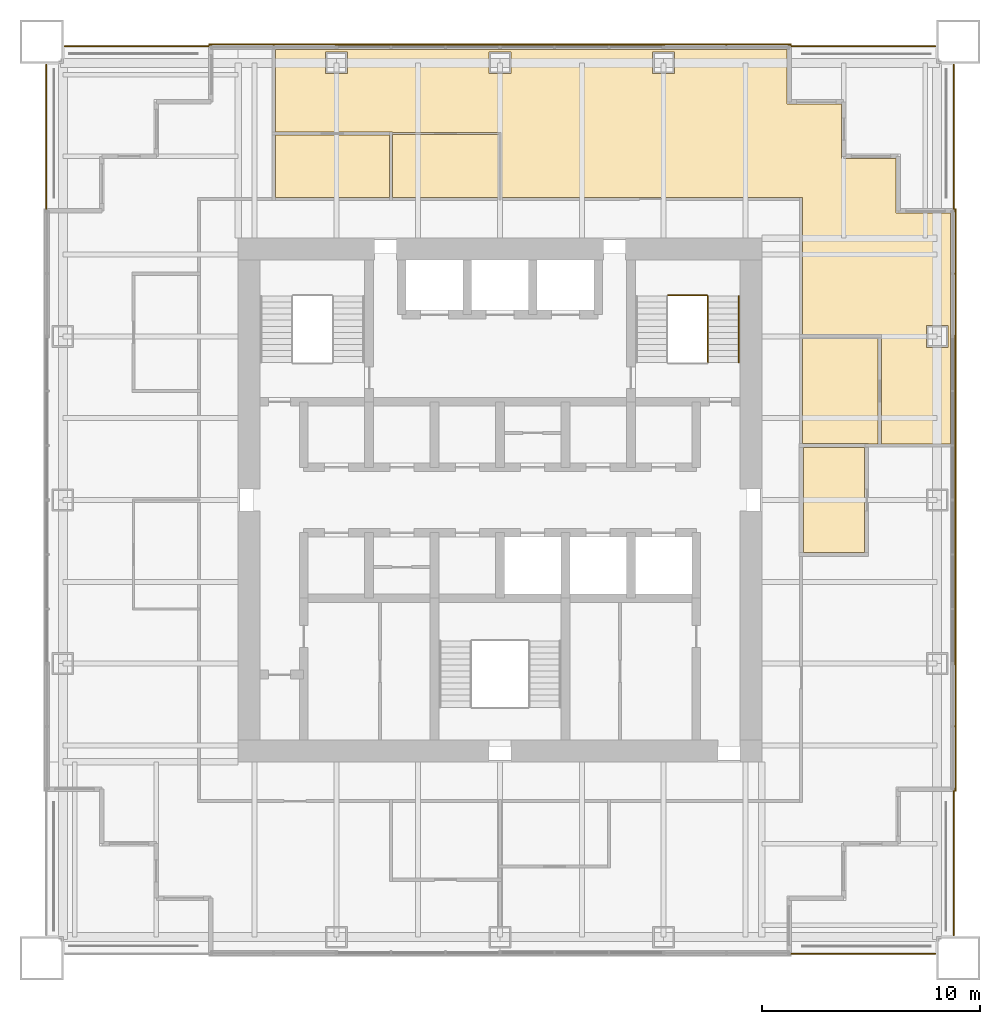
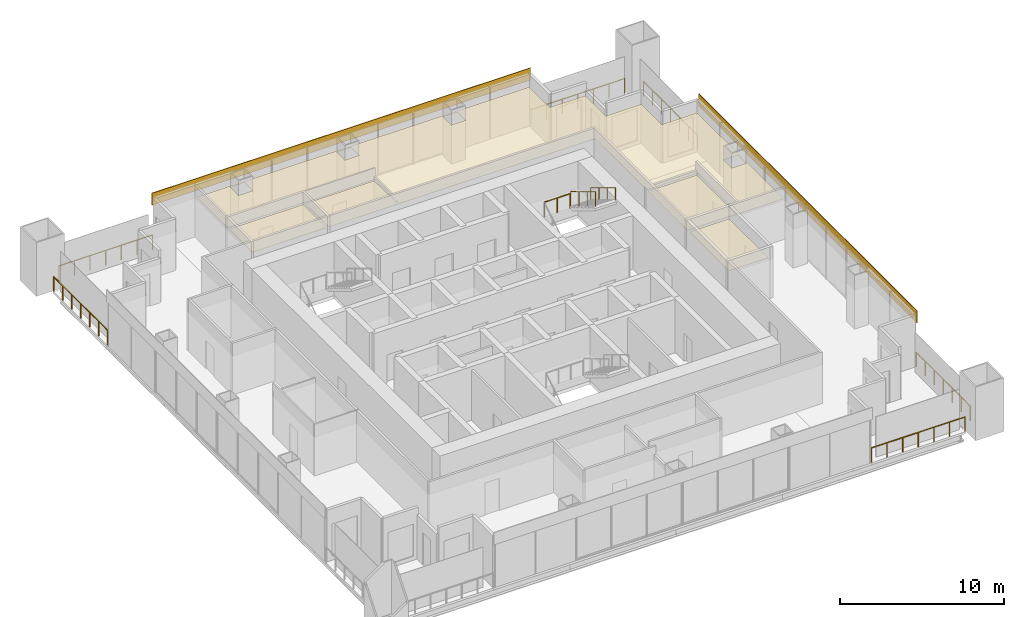
# One storey, part 14 of 14: 9 railings, 7 coverings.
"""IFC4 building model written with IfcOpenShell, lengths in metres."""

from ifc_helpers import new_model, si_unit, direction, frame, origin, origin_2d, place, context, subcontext, project, spatial, polyline, rectangle, circle, outline, extrude, material, layer, layer_set, type_object, element, save


model = new_model("IFC4")

# Units and contexts
model_context = context("Model", 3, precision=1e-05, world=origin(), true_north=direction((0.0, 1.0)))
body_context = subcontext(model_context, "Body", "Model", "MODEL_VIEW")
ifc_project = project(units=[si_unit("LENGTHUNIT", "METRE"), si_unit("AREAUNIT", "SQUARE_METRE"), si_unit("VOLUMEUNIT", "CUBIC_METRE"), si_unit("PLANEANGLEUNIT", "RADIAN"), si_unit("MASSUNIT", "GRAM", prefix="KILO")], contexts=[model_context])

# Site, building, storey
site_placement = place(None, origin())
site = spatial("IfcSite", under=ifc_project, at=site_placement, CompositionType="ELEMENT")
building_placement = place(site_placement, origin())
building = spatial("IfcBuilding", under=site, at=building_placement, Name="Tarangal Relay Tower", CompositionType="ELEMENT")
storey_placement = place(building_placement, frame((0.0, 0.0, 267.89990234375)))
storey = spatial("IfcBuildingStorey", under=building, at=storey_placement, Name="L58", CompositionType="ELEMENT", Elevation=267.89990234375)

# Coverings
ifc_material_1 = material(Name="Black anodised aluminium cladding", Category="aluminium")
ifc_layer_1 = layer(ifc_material_1, 0.050048828125)
ifc_layer_set_1 = layer_set([ifc_layer_1], Name="Black metal spandrel band")
covering_type_1 = type_object("IfcCoveringType", Name="Black metal spandrel band", PredefinedType="CLADDING", material=ifc_layer_set_1)
for number, where, z_axis, x_axis, name in (
    (1, (0.0, 20.875, 3.250244140625), (0.0, 0.0, 1.0), (1.0, 0.0, 0.0), "Spandrel band SB1 N L58"),
    (2, (20.875, 0.0, 3.250244140625), (0.0, 0.0, 1.0), (0.0, -1.0, 0.0), "Spandrel band SB1 E L58"),
):
    element("IfcCovering", number, at=place(storey_placement, frame(where, z_axis=z_axis, x_axis=x_axis)), inside=storey, type_object=covering_type_1, Name=name, PredefinedType="CLADDING", context=body_context, shape_type="SweptSolid", body=[
        extrude(rectangle(XDim=26.699951171875, YDim=0.050048828125, at=origin_2d()), origin(), (0.0, 0.0, 1.0), 0.89990234375),
    ])

# Railings
ifc_material_2 = material(Name="Steel guard, black finish", Category="steel")
railing_type_1 = type_object("IfcRailingType", Name="Stair guard 1100", PredefinedType="GUARDRAIL", material=ifc_material_2)
railing_1_placement = place(storey_placement, frame((9.530029296875, 9.346923828125, 2.166748046875)))
element("IfcRailing", 3, at=railing_1_placement, inside=storey, type_object=railing_type_1, Name="Stair ST-B guard GR1 L58 flight 2", PredefinedType="GUARDRAIL", context=body_context, shape_type="SweptSolid", body=[
    extrude(circle(Radius=0.02392578125, at=origin_2d()), frame((0.0, 0.0, 1.076171875), z_axis=(0.0, -0.85685617095, 0.515555527858), x_axis=(1.0, 0.0, 0.0)), (0.0, 0.0, 1.0), 3.555908203125),
    extrude(circle(Radius=0.02099609375, at=origin_2d()), origin(), (0.0, 0.0, 1.0), 1.052001953125),
    extrude(circle(Radius=0.02099609375, at=origin_2d()), frame((0.0, -1.015625, 0.611083984375)), (0.0, 0.0, 1.0), 1.052001953125),
    extrude(circle(Radius=0.02099609375, at=origin_2d()), frame((0.0, -2.03125, 1.22216796875)), (0.0, 0.0, 1.0), 1.052001953125),
    extrude(circle(Radius=0.02099609375, at=origin_2d()), frame((0.0, -3.046875, 1.833251953125)), (0.0, 0.0, 1.0), 1.052001953125),
])
railing_2_placement = place(storey_placement, frame((7.699951171875, 9.376953125, 2.0)))
element("IfcRailing", 4, at=railing_2_placement, inside=storey, type_object=railing_type_1, Name="Stair ST-B landing guard GR1 L58", PredefinedType="GUARDRAIL", context=body_context, shape_type="SweptSolid", body=[
    extrude(circle(Radius=0.02392578125, at=origin_2d()), frame((0.0, 0.0, 1.076171875), z_axis=(1.0, 0.0, 0.0), x_axis=(0.0, 1.0, 0.0)), (0.0, 0.0, 1.0), 1.800048828125),
    extrude(circle(Radius=0.02099609375, at=origin_2d()), origin(), (0.0, 0.0, 1.0), 1.052001953125),
    extrude(circle(Radius=0.02099609375, at=origin_2d()), frame((0.89990234375, 0.0, 0.0)), (0.0, 0.0, 1.0), 1.052001953125),
    extrude(circle(Radius=0.02099609375, at=origin_2d()), frame((1.800048828125, 0.0, 0.0)), (0.0, 0.0, 1.0), 1.052001953125),
])
ifc_material_3 = material(Name="Steel handrail, black finish", Category="steel")
railing_type_2 = type_object("IfcRailingType", Name="Stair handrail 900", PredefinedType="HANDRAIL", material=ifc_material_3)
railing_3_placement = place(storey_placement, frame((10.93994140625, 9.346923828125, 2.166748046875)))
element("IfcRailing", 5, at=railing_3_placement, inside=storey, type_object=railing_type_2, Name="Stair ST-B handrail HR1 L58 flight 2", PredefinedType="HANDRAIL", context=body_context, shape_type="SweptSolid", body=[
    extrude(circle(Radius=0.02392578125, at=origin_2d()), frame((0.0, 0.0, 0.8759765625), z_axis=(0.0, -0.85685617095, 0.515555527858), x_axis=(1.0, 0.0, 0.0)), (0.0, 0.0, 1.0), 3.555908203125),
    extrude(circle(Radius=0.02099609375, at=origin_2d()), origin(), (0.0, 0.0, 1.0), 0.851806640625),
    extrude(circle(Radius=0.02099609375, at=origin_2d()), frame((0.0, -1.015625, 0.611083984375)), (0.0, 0.0, 1.0), 0.851806640625),
    extrude(circle(Radius=0.02099609375, at=origin_2d()), frame((0.0, -2.03125, 1.22216796875)), (0.0, 0.0, 1.0), 0.851806640625),
    extrude(circle(Radius=0.02099609375, at=origin_2d()), frame((0.0, -3.046875, 1.833251953125)), (0.0, 0.0, 1.0), 0.851806640625),
])

# Coverings
ifc_material_4 = material(Name="Mineral fibre ceiling tiles", Category="gypsum")
ifc_layer_2 = layer(ifc_material_4, 0.02001953125)
ifc_layer_set_2 = layer_set([ifc_layer_2], Name="Suspended ceiling")
covering_type_2 = type_object("IfcCoveringType", Name="Suspended ceiling", PredefinedType="CEILING", material=ifc_layer_set_2)
covering_1_placement = place(storey_placement, frame((0.0, 0.0, 2.900146484375)))
element("IfcCovering", 6, at=covering_1_placement, inside=storey, type_object=covering_type_2, Name="Suspended ceiling CL1 L58-02", PredefinedType="CEILING", context=body_context, shape_type="SweptSolid", body=[
    extrude(outline(polyline([(-10.300048828125, 16.72509765625), (-10.300048828125, 13.875), (-5.074951171875, 13.875), (-5.074951171875, 16.72509765625), (-10.300048828125, 16.72509765625)])), origin(), (0.0, 0.0, 1.0), 0.02001953125),
])
covering_2_placement = place(storey_placement, frame((0.0, 0.0, 2.900146484375)))
element("IfcCovering", 7, at=covering_2_placement, inside=storey, type_object=covering_type_2, Name="Suspended ceiling CL1 L58-03", PredefinedType="CEILING", context=body_context, shape_type="SweptSolid", body=[
    extrude(outline(polyline([(-4.925048828125, 16.75), (-4.925048828125, 13.875), (-0.050048828125, 13.875), (-0.050048828125, 16.75), (-4.925048828125, 16.75)])), origin(), (0.0, 0.0, 1.0), 0.02001953125),
])
covering_3_placement = place(storey_placement, frame((0.0, 0.0, 2.900146484375)))
element("IfcCovering", 8, at=covering_3_placement, inside=storey, type_object=covering_type_2, Name="Suspended ceiling CL1 L58-04", PredefinedType="CEILING", context=body_context, shape_type="SweptSolid", body=[
    extrude(outline(polyline([(16.89990234375, 2.574951171875), (17.324951171875, 2.574951171875), (17.324951171875, 7.425048828125), (13.875, 7.425048828125), (13.875, 2.60009765625), (16.89990234375, 2.60009765625), (16.89990234375, 2.574951171875)])), origin(), (0.0, 0.0, 1.0), 0.02001953125),
])
covering_4_placement = place(storey_placement, frame((0.0, 0.0, 2.900146484375)))
element("IfcCovering", 9, at=covering_4_placement, inside=storey, type_object=covering_type_2, Name="Suspended ceiling CL1 L58-05", PredefinedType="CEILING", context=body_context, shape_type="SweptSolid", body=[
    extrude(outline(polyline([(16.699951171875, -2.39990234375), (16.699951171875, 2.39990234375), (13.89990234375, 2.39990234375), (13.89990234375, -2.39990234375), (16.699951171875, -2.39990234375)])), origin(), (0.0, 0.0, 1.0), 0.02001953125),
])
covering_5_placement = place(storey_placement, frame((0.0, 0.0, 2.900146484375)))
element("IfcCovering", 10, at=covering_5_placement, inside=storey, type_object=covering_type_2, Name="Suspended ceiling CL1 L58-10", PredefinedType="CEILING", context=body_context, shape_type="SweptSolid", body=[
    extrude(outline(polyline([(13.14990234375, 20.64990234375), (-10.300048828125, 20.64990234375), (-10.300048828125, 16.875), (-4.925048828125, 16.875), (-4.925048828125, 16.85009765625), (0.050048828125, 16.85009765625), (0.050048828125, 13.875), (13.875, 13.875), (13.875, 7.574951171875), (17.47509765625, 7.574951171875), (17.47509765625, 2.574951171875), (20.64990234375, 2.574951171875), (20.64990234375, 13.14990234375), (18.14990234375, 13.14990234375), (18.14990234375, 15.64990234375), (15.64990234375, 15.64990234375), (15.64990234375, 18.14990234375), (13.14990234375, 18.14990234375), (13.14990234375, 20.64990234375)]), holes=[polyline([(19.5400390625, 7.0), (20.5400390625, 7.0), (20.5400390625, 8.0), (19.5400390625, 8.0), (19.5400390625, 7.0)]), polyline([(-8.0, 19.5400390625), (-7.0, 19.5400390625), (-7.0, 20.5400390625), (-8.0, 20.5400390625), (-8.0, 19.5400390625)]), polyline([(-0.5, 19.5400390625), (0.5, 19.5400390625), (0.5, 20.5400390625), (-0.5, 20.5400390625), (-0.5, 19.5400390625)]), polyline([(7.0, 19.5400390625), (8.0, 19.5400390625), (8.0, 20.5400390625), (7.0, 20.5400390625), (7.0, 19.5400390625)])]), origin(), (0.0, 0.0, 1.0), 0.02001953125),
])

# Railings
ifc_material_5 = material(Name="Black steel guard with glass infill", Category="steel")
railing_type_3 = type_object("IfcRailingType", Name="Terrace guard 1100", PredefinedType="GUARDRAIL", material=ifc_material_5)
railing_4_placement = place(storey_placement, frame((13.35009765625, 20.800048828125, 0.0)))
element("IfcRailing", 11, at=railing_4_placement, inside=storey, type_object=railing_type_3, Name="Terrace guard GR2 NE L58", PredefinedType="GUARDRAIL", context=body_context, shape_type="SweptSolid", body=[
    extrude(circle(Radius=0.02392578125, at=origin_2d()), frame((0.0, 0.0, 1.076171875), z_axis=(1.0, 0.0, 0.0), x_axis=(0.0, 1.0, 0.0)), (0.0, 0.0, 1.0), 6.599853515625),
    extrude(circle(Radius=0.02099609375, at=origin_2d()), origin(), (0.0, 0.0, 1.0), 1.052001953125),
    extrude(circle(Radius=0.02099609375, at=origin_2d()), frame((1.10009765625, 0.0, 0.0)), (0.0, 0.0, 1.0), 1.052001953125),
    extrude(circle(Radius=0.02099609375, at=origin_2d()), frame((2.199951171875, 0.0, 0.0)), (0.0, 0.0, 1.0), 1.052001953125),
    extrude(circle(Radius=0.02099609375, at=origin_2d()), frame((3.2998046875, 0.0, 0.0)), (0.0, 0.0, 1.0), 1.052001953125),
    extrude(circle(Radius=0.02099609375, at=origin_2d()), frame((4.39990234375, 0.0, 0.0)), (0.0, 0.0, 1.0), 1.052001953125),
    extrude(circle(Radius=0.02099609375, at=origin_2d()), frame((5.5, 0.0, 0.0)), (0.0, 0.0, 1.0), 1.052001953125),
    extrude(circle(Radius=0.02099609375, at=origin_2d()), frame((6.599853515625, 0.0, 0.0)), (0.0, 0.0, 1.0), 1.052001953125),
])
for number, where, name in (
    (12, (20.800048828125, 19.949951171875, 0.0), "Terrace guard GR2 NE L58"),
    (13, (20.800048828125, -13.35009765625, 0.0), "Terrace guard GR2 SE L58"),
):
    element("IfcRailing", number, at=place(storey_placement, frame(where)), inside=storey, type_object=railing_type_3, Name=name, PredefinedType="GUARDRAIL", context=body_context, shape_type="SweptSolid", body=[
        extrude(circle(Radius=0.02392578125, at=origin_2d()), frame((0.0, 0.0, 1.076171875), z_axis=(0.0, -1.0, 0.0), x_axis=(1.0, 0.0, 0.0)), (0.0, 0.0, 1.0), 6.599853515625),
        extrude(circle(Radius=0.02099609375, at=origin_2d()), origin(), (0.0, 0.0, 1.0), 1.052001953125),
        extrude(circle(Radius=0.02099609375, at=origin_2d()), frame((0.0, -1.10009765625, 0.0)), (0.0, 0.0, 1.0), 1.052001953125),
        extrude(circle(Radius=0.02099609375, at=origin_2d()), frame((0.0, -2.199951171875, 0.0)), (0.0, 0.0, 1.0), 1.052001953125),
        extrude(circle(Radius=0.02099609375, at=origin_2d()), frame((0.0, -3.2998046875, 0.0)), (0.0, 0.0, 1.0), 1.052001953125),
        extrude(circle(Radius=0.02099609375, at=origin_2d()), frame((0.0, -4.39990234375, 0.0)), (0.0, 0.0, 1.0), 1.052001953125),
        extrude(circle(Radius=0.02099609375, at=origin_2d()), frame((0.0, -5.5, 0.0)), (0.0, 0.0, 1.0), 1.052001953125),
        extrude(circle(Radius=0.02099609375, at=origin_2d()), frame((0.0, -6.599853515625, 0.0)), (0.0, 0.0, 1.0), 1.052001953125),
    ])
railing_5_placement = place(storey_placement, frame((19.949951171875, -20.800048828125, 0.0)))
element("IfcRailing", 14, at=railing_5_placement, inside=storey, type_object=railing_type_3, Name="Terrace guard GR2 SE L58", PredefinedType="GUARDRAIL", context=body_context, shape_type="SweptSolid", body=[
    extrude(circle(Radius=0.02392578125, at=origin_2d()), frame((0.0, 0.0, 1.076171875), z_axis=(-1.0, 0.0, 0.0), x_axis=(0.0, -1.0, 0.0)), (0.0, 0.0, 1.0), 6.599853515625),
    extrude(circle(Radius=0.02099609375, at=origin_2d()), origin(), (0.0, 0.0, 1.0), 1.052001953125),
    extrude(circle(Radius=0.02099609375, at=origin_2d()), frame((-1.10009765625, 0.0, 0.0)), (0.0, 0.0, 1.0), 1.052001953125),
    extrude(circle(Radius=0.02099609375, at=origin_2d()), frame((-2.199951171875, 0.0, 0.0)), (0.0, 0.0, 1.0), 1.052001953125),
    extrude(circle(Radius=0.02099609375, at=origin_2d()), frame((-3.2998046875, 0.0, 0.0)), (0.0, 0.0, 1.0), 1.052001953125),
    extrude(circle(Radius=0.02099609375, at=origin_2d()), frame((-4.39990234375, 0.0, 0.0)), (0.0, 0.0, 1.0), 1.052001953125),
    extrude(circle(Radius=0.02099609375, at=origin_2d()), frame((-5.5, 0.0, 0.0)), (0.0, 0.0, 1.0), 1.052001953125),
    extrude(circle(Radius=0.02099609375, at=origin_2d()), frame((-6.599853515625, 0.0, 0.0)), (0.0, 0.0, 1.0), 1.052001953125),
])
railing_6_placement = place(storey_placement, frame((-20.800048828125, 13.35009765625, 0.0)))
element("IfcRailing", 15, at=railing_6_placement, inside=storey, type_object=railing_type_3, Name="Terrace guard GR2 NW L58", PredefinedType="GUARDRAIL", context=body_context, shape_type="SweptSolid", body=[
    extrude(circle(Radius=0.02392578125, at=origin_2d()), frame((0.0, 0.0, 1.076171875), z_axis=(0.0, 1.0, 0.0), x_axis=(-1.0, 0.0, 0.0)), (0.0, 0.0, 1.0), 6.599853515625),
    extrude(circle(Radius=0.02099609375, at=origin_2d()), origin(), (0.0, 0.0, 1.0), 1.052001953125),
    extrude(circle(Radius=0.02099609375, at=origin_2d()), frame((0.0, 1.10009765625, 0.0)), (0.0, 0.0, 1.0), 1.052001953125),
    extrude(circle(Radius=0.02099609375, at=origin_2d()), frame((0.0, 2.199951171875, 0.0)), (0.0, 0.0, 1.0), 1.052001953125),
    extrude(circle(Radius=0.02099609375, at=origin_2d()), frame((0.0, 3.2998046875, 0.0)), (0.0, 0.0, 1.0), 1.052001953125),
    extrude(circle(Radius=0.02099609375, at=origin_2d()), frame((0.0, 4.39990234375, 0.0)), (0.0, 0.0, 1.0), 1.052001953125),
    extrude(circle(Radius=0.02099609375, at=origin_2d()), frame((0.0, 5.5, 0.0)), (0.0, 0.0, 1.0), 1.052001953125),
    extrude(circle(Radius=0.02099609375, at=origin_2d()), frame((0.0, 6.599853515625, 0.0)), (0.0, 0.0, 1.0), 1.052001953125),
])
railing_7_placement = place(storey_placement, frame((-19.949951171875, 20.800048828125, 0.0)))
element("IfcRailing", 16, at=railing_7_placement, inside=storey, type_object=railing_type_3, Name="Terrace guard GR2 NW L58", PredefinedType="GUARDRAIL", context=body_context, shape_type="SweptSolid", body=[
    extrude(circle(Radius=0.02392578125, at=origin_2d()), frame((0.0, 0.0, 1.076171875), z_axis=(1.0, 0.0, 0.0), x_axis=(0.0, 1.0, 0.0)), (0.0, 0.0, 1.0), 6.599853515625),
    extrude(circle(Radius=0.02099609375, at=origin_2d()), origin(), (0.0, 0.0, 1.0), 1.052001953125),
    extrude(circle(Radius=0.02099609375, at=origin_2d()), frame((1.10009765625, 0.0, 0.0)), (0.0, 0.0, 1.0), 1.052001953125),
    extrude(circle(Radius=0.02099609375, at=origin_2d()), frame((2.199951171875, 0.0, 0.0)), (0.0, 0.0, 1.0), 1.052001953125),
    extrude(circle(Radius=0.02099609375, at=origin_2d()), frame((3.2998046875, 0.0, 0.0)), (0.0, 0.0, 1.0), 1.052001953125),
    extrude(circle(Radius=0.02099609375, at=origin_2d()), frame((4.39990234375, 0.0, 0.0)), (0.0, 0.0, 1.0), 1.052001953125),
    extrude(circle(Radius=0.02099609375, at=origin_2d()), frame((5.5, 0.0, 0.0)), (0.0, 0.0, 1.0), 1.052001953125),
    extrude(circle(Radius=0.02099609375, at=origin_2d()), frame((6.599853515625, 0.0, 0.0)), (0.0, 0.0, 1.0), 1.052001953125),
])

save(model, "model.ifc")
